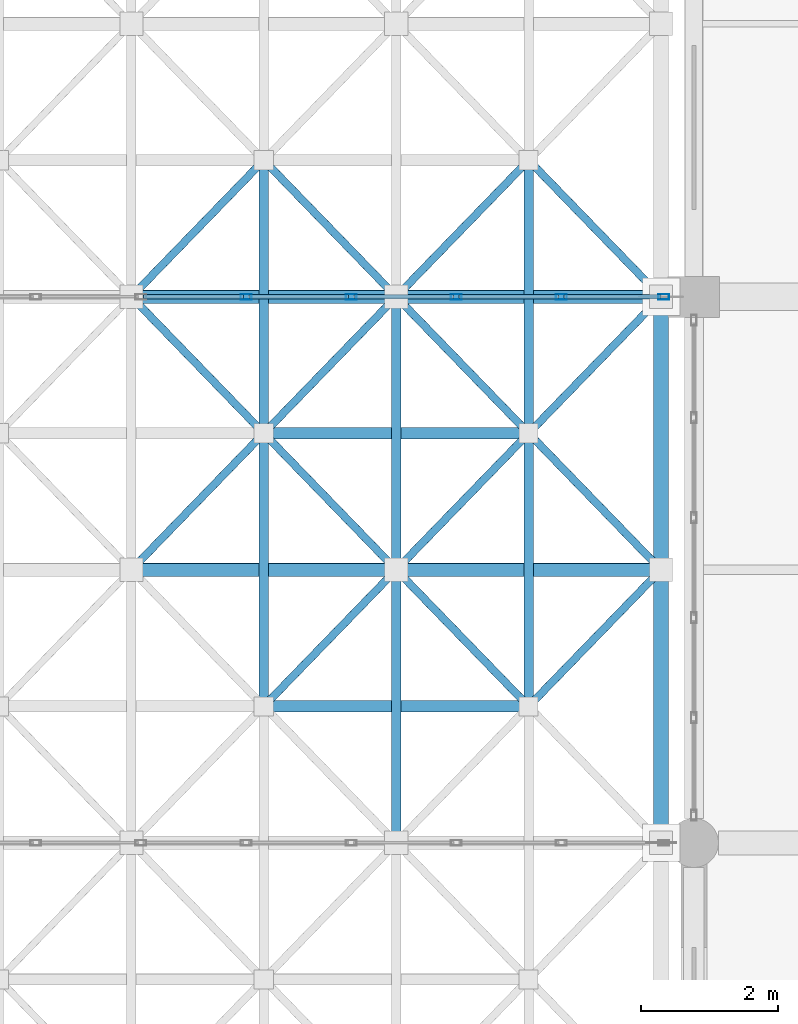
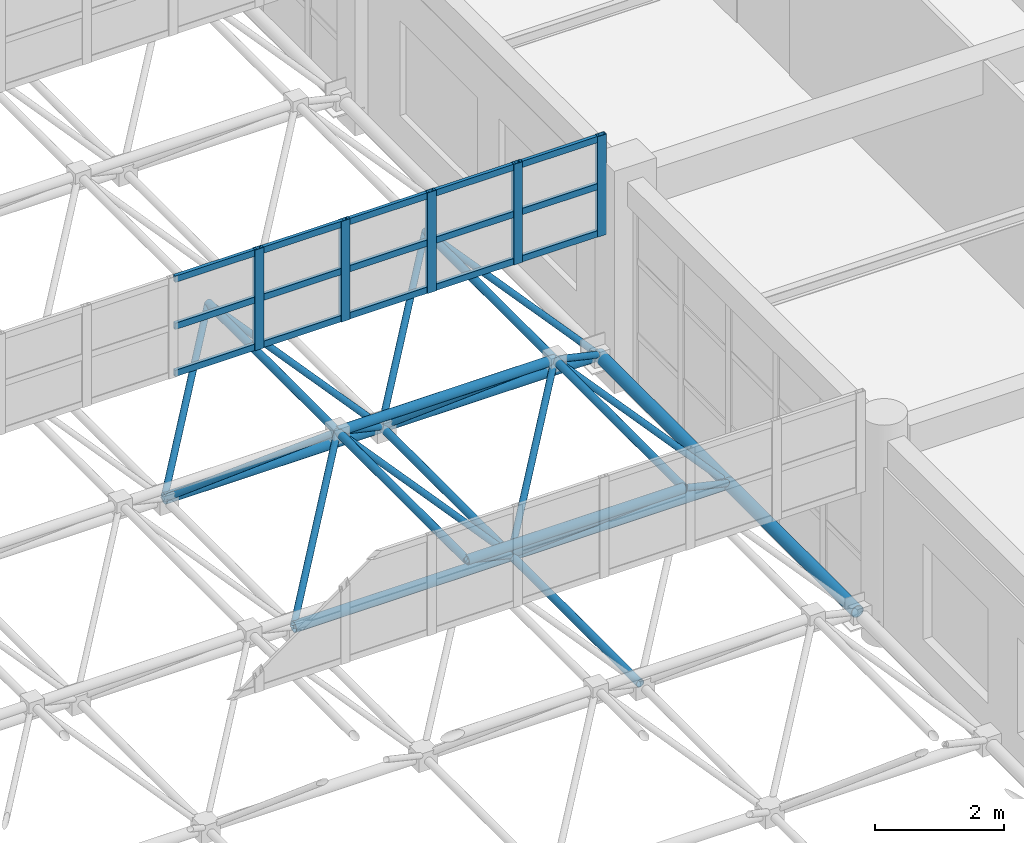
# One storey, part 59 of 195: 49 members, 1 element without a shape of its own.
"""IFC4 building model written with IfcOpenShell, lengths in metres."""

from ifc_helpers import new_model, si_unit, direction, frame, origin, origin_2d, place, context, subcontext, project, spatial, hollow_rectangle, hollow_circle, extrude, material, material_profile, profile_set, type_object, element, aggregate, save


model = new_model("IFC4")

# Units and contexts
model_context = context("Model", 3, precision=1e-05, world=origin(), true_north=direction((0.0, 1.0)))
body_context = subcontext(model_context, "Body", "Model", "MODEL_VIEW")
ifc_project = project(units=[si_unit("LENGTHUNIT", "METRE"), si_unit("AREAUNIT", "SQUARE_METRE"), si_unit("VOLUMEUNIT", "CUBIC_METRE"), si_unit("PLANEANGLEUNIT", "RADIAN"), si_unit("MASSUNIT", "GRAM", prefix="KILO")], contexts=[model_context])

# Site, building, storey
site_placement = place(None, origin())
site = spatial("IfcSite", under=ifc_project, at=site_placement, CompositionType="ELEMENT")
building_placement = place(site_placement, origin())
building = spatial("IfcBuilding", under=site, at=building_placement, Name="Kharva Crest Polytechnic", CompositionType="ELEMENT")
storey_placement = place(building_placement, frame((0.0, 0.0, 9.0)))
storey = spatial("IfcBuildingStorey", under=building, at=storey_placement, Name="L02", CompositionType="ELEMENT", Elevation=9.0)

# Curtain wall, members
ifc_material_1 = material(Name="Tempered insulated glass", Category="glass")
curtain_wall_type = type_object("IfcCurtainWallType", Name="CW-SYS-NORTHLIGHT", PredefinedType="USERDEFINED", material=ifc_material_1)
curtain_wall_placement = place(storey_placement, origin())
curtain_wall = element("IfcCurtainWall", 1, at=curtain_wall_placement, inside=storey, type_object=curtain_wall_type, Name="L02 Glazed Curtain Wall CW-192", ObjectType="CURTAIN WALL", PredefinedType="USERDEFINED")
ifc_material_2 = material(Name="Steel S355", Category="steel")
ifc_material_profile_1 = material_profile(ifc_material_2, hollow_rectangle(XDim=0.080078125, YDim=0.159912109375, WallThickness=0.0048828125, at=origin_2d()), Name="RHS 160X80X5.0")
ifc_profile_set_1 = profile_set([ifc_material_profile_1], Name="Steel S355")
member_type_1 = type_object("IfcMemberType", Name="CWM-RHS160X80", PredefinedType="MULLION", material=ifc_profile_set_1)
member_1_placement = place(storey_placement, frame((25.43994140625, 54.800048828125, 2.85009765625), z_axis=(0.0, 0.0, 1.0), x_axis=(0.0, 1.0, 0.0)))
member_1 = element("IfcMember", 2, at=member_1_placement, type_object=member_type_1, Name="CW-192 mullion 7", PredefinedType="MULLION", context=body_context, shape_type="SweptSolid", body=[
    extrude(hollow_rectangle(XDim=0.080078125, YDim=0.159912109375, WallThickness=0.0048828125, at=origin_2d()), origin(), (0.0, 0.0, 1.0), 1.89990234375),
])
member_2_placement = place(storey_placement, frame((26.97998046875, 54.800048828125, 2.85009765625), z_axis=(0.0, 0.0, 1.0), x_axis=(0.0, 1.0, 0.0)))
member_2 = element("IfcMember", 3, at=member_2_placement, type_object=member_type_1, Name="CW-192 mullion 8", PredefinedType="MULLION", context=body_context, shape_type="SweptSolid", body=[
    extrude(hollow_rectangle(XDim=0.080078125, YDim=0.159912109375, WallThickness=0.0048828125, at=origin_2d()), origin(), (0.0, 0.0, 1.0), 1.89990234375),
])
member_3_placement = place(storey_placement, frame((28.52001953125, 54.800048828125, 2.85009765625), z_axis=(0.0, 0.0, 1.0), x_axis=(0.0, 1.0, 0.0)))
member_3 = element("IfcMember", 4, at=member_3_placement, type_object=member_type_1, Name="CW-192 mullion 9", PredefinedType="MULLION", context=body_context, shape_type="SweptSolid", body=[
    extrude(hollow_rectangle(XDim=0.080078125, YDim=0.159912109375, WallThickness=0.0048828125, at=origin_2d()), origin(), (0.0, 0.0, 1.0), 1.89990234375),
])
member_4_placement = place(storey_placement, frame((30.06005859375, 54.800048828125, 2.85009765625), z_axis=(0.0, 0.0, 1.0), x_axis=(0.0, 1.0, 0.0)))
member_4 = element("IfcMember", 5, at=member_4_placement, type_object=member_type_1, Name="CW-192 mullion 10", PredefinedType="MULLION", context=body_context, shape_type="SweptSolid", body=[
    extrude(hollow_rectangle(XDim=0.080078125, YDim=0.159912109375, WallThickness=0.0048828125, at=origin_2d()), origin(), (0.0, 0.0, 1.0), 1.89990234375),
])
member_5_placement = place(storey_placement, frame((31.56005859375, 54.800048828125, 2.85009765625), z_axis=(0.0, 0.0, 1.0), x_axis=(0.0, 1.0, 0.0)))
member_5 = element("IfcMember", 6, at=member_5_placement, type_object=member_type_1, Name="CW-192 mullion 11", PredefinedType="MULLION", context=body_context, shape_type="SweptSolid", body=[
    extrude(hollow_rectangle(XDim=0.080078125, YDim=0.159912109375, WallThickness=0.0048828125, at=origin_2d()), origin(), (0.0, 0.0, 1.0), 1.89990234375),
])
ifc_material_profile_2 = material_profile(ifc_material_2, hollow_rectangle(XDim=0.06005859375, YDim=0.1201171875, WallThickness=0.00390625, at=origin_2d()), Name="RHS 120X60X4.0")
ifc_profile_set_2 = profile_set([ifc_material_profile_2], Name="Steel S355")
member_type_2 = type_object("IfcMemberType", Name="CWT-RHS120X60", PredefinedType="USERDEFINED", material=ifc_profile_set_2)
member_6_placement = place(storey_placement, frame((23.93994140625, 54.800048828125, 2.909912109375), z_axis=(1.0, 0.0, 0.0), x_axis=(0.0, 1.0, 0.0)))
member_6 = element("IfcMember", 7, at=member_6_placement, type_object=member_type_2, Name="CW-192 transom 6.1", ObjectType="TRANSOM", PredefinedType="USERDEFINED", context=body_context, shape_type="SweptSolid", body=[
    extrude(hollow_rectangle(XDim=0.06005859375, YDim=0.1201171875, WallThickness=0.00390625, at=origin_2d()), origin(), (0.0, 0.0, 1.0), 1.4599609375),
])
member_7_placement = place(storey_placement, frame((23.93994140625, 54.800048828125, 3.800048828125), z_axis=(1.0, 0.0, 0.0), x_axis=(0.0, 1.0, 0.0)))
member_7 = element("IfcMember", 8, at=member_7_placement, type_object=member_type_2, Name="CW-192 transom 6.2", ObjectType="TRANSOM", PredefinedType="USERDEFINED", context=body_context, shape_type="SweptSolid", body=[
    extrude(hollow_rectangle(XDim=0.06005859375, YDim=0.1201171875, WallThickness=0.00390625, at=origin_2d()), origin(), (0.0, 0.0, 1.0), 1.4599609375),
])
member_8_placement = place(storey_placement, frame((23.93994140625, 54.800048828125, 4.68994140625), z_axis=(1.0, 0.0, 0.0), x_axis=(0.0, 1.0, 0.0)))
member_8 = element("IfcMember", 9, at=member_8_placement, type_object=member_type_2, Name="CW-192 transom 6.3", ObjectType="TRANSOM", PredefinedType="USERDEFINED", context=body_context, shape_type="SweptSolid", body=[
    extrude(hollow_rectangle(XDim=0.06005859375, YDim=0.1201171875, WallThickness=0.00390625, at=origin_2d()), origin(), (0.0, 0.0, 1.0), 1.4599609375),
])
member_9_placement = place(storey_placement, frame((25.47998046875, 54.800048828125, 2.909912109375), z_axis=(1.0, 0.0, 0.0), x_axis=(0.0, 1.0, 0.0)))
member_9 = element("IfcMember", 10, at=member_9_placement, type_object=member_type_2, Name="CW-192 transom 7.1", ObjectType="TRANSOM", PredefinedType="USERDEFINED", context=body_context, shape_type="SweptSolid", body=[
    extrude(hollow_rectangle(XDim=0.06005859375, YDim=0.1201171875, WallThickness=0.00390625, at=origin_2d()), origin(), (0.0, 0.0, 1.0), 1.4599609375),
])
member_10_placement = place(storey_placement, frame((25.47998046875, 54.800048828125, 3.800048828125), z_axis=(1.0, 0.0, 0.0), x_axis=(0.0, 1.0, 0.0)))
member_10 = element("IfcMember", 11, at=member_10_placement, type_object=member_type_2, Name="CW-192 transom 7.2", ObjectType="TRANSOM", PredefinedType="USERDEFINED", context=body_context, shape_type="SweptSolid", body=[
    extrude(hollow_rectangle(XDim=0.06005859375, YDim=0.1201171875, WallThickness=0.00390625, at=origin_2d()), origin(), (0.0, 0.0, 1.0), 1.4599609375),
])
member_11_placement = place(storey_placement, frame((25.47998046875, 54.800048828125, 4.68994140625), z_axis=(1.0, 0.0, 0.0), x_axis=(0.0, 1.0, 0.0)))
member_11 = element("IfcMember", 12, at=member_11_placement, type_object=member_type_2, Name="CW-192 transom 7.3", ObjectType="TRANSOM", PredefinedType="USERDEFINED", context=body_context, shape_type="SweptSolid", body=[
    extrude(hollow_rectangle(XDim=0.06005859375, YDim=0.1201171875, WallThickness=0.00390625, at=origin_2d()), origin(), (0.0, 0.0, 1.0), 1.4599609375),
])
member_12_placement = place(storey_placement, frame((27.02001953125, 54.800048828125, 2.909912109375), z_axis=(1.0, 0.0, 0.0), x_axis=(0.0, 1.0, 0.0)))
member_12 = element("IfcMember", 13, at=member_12_placement, type_object=member_type_2, Name="CW-192 transom 8.1", ObjectType="TRANSOM", PredefinedType="USERDEFINED", context=body_context, shape_type="SweptSolid", body=[
    extrude(hollow_rectangle(XDim=0.06005859375, YDim=0.1201171875, WallThickness=0.00390625, at=origin_2d()), origin(), (0.0, 0.0, 1.0), 1.4599609375),
])
member_13_placement = place(storey_placement, frame((27.02001953125, 54.800048828125, 3.800048828125), z_axis=(1.0, 0.0, 0.0), x_axis=(0.0, 1.0, 0.0)))
member_13 = element("IfcMember", 14, at=member_13_placement, type_object=member_type_2, Name="CW-192 transom 8.2", ObjectType="TRANSOM", PredefinedType="USERDEFINED", context=body_context, shape_type="SweptSolid", body=[
    extrude(hollow_rectangle(XDim=0.06005859375, YDim=0.1201171875, WallThickness=0.00390625, at=origin_2d()), origin(), (0.0, 0.0, 1.0), 1.4599609375),
])
member_14_placement = place(storey_placement, frame((27.02001953125, 54.800048828125, 4.68994140625), z_axis=(1.0, 0.0, 0.0), x_axis=(0.0, 1.0, 0.0)))
member_14 = element("IfcMember", 15, at=member_14_placement, type_object=member_type_2, Name="CW-192 transom 8.3", ObjectType="TRANSOM", PredefinedType="USERDEFINED", context=body_context, shape_type="SweptSolid", body=[
    extrude(hollow_rectangle(XDim=0.06005859375, YDim=0.1201171875, WallThickness=0.00390625, at=origin_2d()), origin(), (0.0, 0.0, 1.0), 1.4599609375),
])
member_15_placement = place(storey_placement, frame((28.56005859375, 54.800048828125, 2.909912109375), z_axis=(1.0, 0.0, 0.0), x_axis=(0.0, 1.0, 0.0)))
member_15 = element("IfcMember", 16, at=member_15_placement, type_object=member_type_2, Name="CW-192 transom 9.1", ObjectType="TRANSOM", PredefinedType="USERDEFINED", context=body_context, shape_type="SweptSolid", body=[
    extrude(hollow_rectangle(XDim=0.06005859375, YDim=0.1201171875, WallThickness=0.00390625, at=origin_2d()), origin(), (0.0, 0.0, 1.0), 1.4599609375),
])
member_16_placement = place(storey_placement, frame((28.56005859375, 54.800048828125, 3.800048828125), z_axis=(1.0, 0.0, 0.0), x_axis=(0.0, 1.0, 0.0)))
member_16 = element("IfcMember", 17, at=member_16_placement, type_object=member_type_2, Name="CW-192 transom 9.2", ObjectType="TRANSOM", PredefinedType="USERDEFINED", context=body_context, shape_type="SweptSolid", body=[
    extrude(hollow_rectangle(XDim=0.06005859375, YDim=0.1201171875, WallThickness=0.00390625, at=origin_2d()), origin(), (0.0, 0.0, 1.0), 1.4599609375),
])
member_17_placement = place(storey_placement, frame((28.56005859375, 54.800048828125, 4.68994140625), z_axis=(1.0, 0.0, 0.0), x_axis=(0.0, 1.0, 0.0)))
member_17 = element("IfcMember", 18, at=member_17_placement, type_object=member_type_2, Name="CW-192 transom 9.3", ObjectType="TRANSOM", PredefinedType="USERDEFINED", context=body_context, shape_type="SweptSolid", body=[
    extrude(hollow_rectangle(XDim=0.06005859375, YDim=0.1201171875, WallThickness=0.00390625, at=origin_2d()), origin(), (0.0, 0.0, 1.0), 1.4599609375),
])
member_18_placement = place(storey_placement, frame((30.10009765625, 54.800048828125, 2.909912109375), z_axis=(1.0, 0.0, 0.0), x_axis=(0.0, 1.0, 0.0)))
member_18 = element("IfcMember", 19, at=member_18_placement, type_object=member_type_2, Name="CW-192 transom 10.1", ObjectType="TRANSOM", PredefinedType="USERDEFINED", context=body_context, shape_type="SweptSolid", body=[
    extrude(hollow_rectangle(XDim=0.06005859375, YDim=0.1201171875, WallThickness=0.00390625, at=origin_2d()), origin(), (0.0, 0.0, 1.0), 1.419921875),
])
member_19_placement = place(storey_placement, frame((30.10009765625, 54.800048828125, 3.800048828125), z_axis=(1.0, 0.0, 0.0), x_axis=(0.0, 1.0, 0.0)))
member_19 = element("IfcMember", 20, at=member_19_placement, type_object=member_type_2, Name="CW-192 transom 10.2", ObjectType="TRANSOM", PredefinedType="USERDEFINED", context=body_context, shape_type="SweptSolid", body=[
    extrude(hollow_rectangle(XDim=0.06005859375, YDim=0.1201171875, WallThickness=0.00390625, at=origin_2d()), origin(), (0.0, 0.0, 1.0), 1.419921875),
])
member_20_placement = place(storey_placement, frame((30.10009765625, 54.800048828125, 4.68994140625), z_axis=(1.0, 0.0, 0.0), x_axis=(0.0, 1.0, 0.0)))
member_20 = element("IfcMember", 21, at=member_20_placement, type_object=member_type_2, Name="CW-192 transom 10.3", ObjectType="TRANSOM", PredefinedType="USERDEFINED", context=body_context, shape_type="SweptSolid", body=[
    extrude(hollow_rectangle(XDim=0.06005859375, YDim=0.1201171875, WallThickness=0.00390625, at=origin_2d()), origin(), (0.0, 0.0, 1.0), 1.419921875),
])
aggregate(curtain_wall, [member_1, member_2, member_3, member_4, member_5, member_6, member_7, member_8, member_9, member_10, member_11, member_12, member_13, member_14, member_15, member_16, member_17, member_18, member_19, member_20])

# Members
ifc_material_profile_3 = material_profile(ifc_material_2, hollow_circle(Radius=0.05712890625, WallThickness=0.00634765625, at=origin_2d()), Name="CHS 114.3X6.3")
ifc_profile_set_3 = profile_set([ifc_material_profile_3], Name="Steel S355")
member_type_3 = type_object("IfcMemberType", Name="MEM-CHS114", PredefinedType="BRACE", material=ifc_profile_set_3)
for number, where, z_axis, x_axis, name in (
    (22, (27.639892578125, 50.800048828125, 0.60009765625), (-0.584843378742, -0.602949529154, 0.542595694449), (0.717802189577, -0.696247094528, 0.0), "Space Frame Web Diagonal 796"),
    (23, (23.760009765625, 50.800048828125, 0.60009765625), (0.584843378742, 0.602949529154, 0.542595694449), (-0.717802189577, 0.696247094528, 0.0), "Space Frame Web Diagonal 797"),
    (24, (27.639892578125, 50.800048828125, 0.60009765625), (-0.584843378742, 0.602949529154, 0.542595694449), (-0.717802189577, -0.696247094528, 0.0), "Space Frame Web Diagonal 798"),
    (25, (23.760009765625, 54.800048828125, 0.60009765625), (0.584843378742, -0.602949529154, 0.542595694449), (0.717802189577, 0.696247094528, 0.0), "Space Frame Web Diagonal 799"),
    (26, (27.639892578125, 54.800048828125, 0.60009765625), (-0.584843378742, -0.602949529154, 0.542595694449), (0.717802189577, -0.696247094528, 0.0), "Space Frame Web Diagonal 800"),
    (27, (23.760009765625, 54.800048828125, 0.60009765625), (0.584843378742, 0.602949529154, 0.542595694449), (-0.717802189577, 0.696247094528, 0.0), "Space Frame Web Diagonal 801"),
    (28, (27.639892578125, 54.800048828125, 0.60009765625), (-0.584843378742, 0.602949529154, 0.542595694449), (-0.717802189577, -0.696247094528, 0.0), "Space Frame Web Diagonal 802"),
    (29, (27.639892578125, 50.800048828125, 0.60009765625), (0.584891802813, -0.602923574763, 0.542572338032), (0.717758400015, 0.696292236929, 0.0), "Space Frame Web Diagonal 851"),
    (30, (31.52001953125, 50.800048828125, 0.60009765625), (-0.584843378742, -0.602949529154, 0.542595694449), (0.717802189577, -0.696247094528, 0.0), "Space Frame Web Diagonal 852"),
    (31, (27.639892578125, 50.800048828125, 0.60009765625), (0.584891802813, 0.602923574763, 0.542572338032), (-0.717758400015, 0.696292236929, 0.0), "Space Frame Web Diagonal 853"),
    (32, (31.52001953125, 50.800048828125, 0.60009765625), (-0.584843378742, 0.602949529154, 0.542595694449), (-0.717802189577, -0.696247094528, 0.0), "Space Frame Web Diagonal 854"),
    (33, (27.639892578125, 54.800048828125, 0.60009765625), (0.584891802813, -0.602923574763, 0.542572338032), (0.717758400015, 0.696292236929, 0.0), "Space Frame Web Diagonal 855"),
    (34, (31.52001953125, 54.800048828125, 0.60009765625), (-0.584843378742, -0.602949529154, 0.542595694449), (0.717802189577, -0.696247094528, 0.0), "Space Frame Web Diagonal 856"),
    (35, (27.639892578125, 54.800048828125, 0.60009765625), (0.584891802813, 0.602923574763, 0.542572338032), (-0.717758400015, 0.696292236929, 0.0), "Space Frame Web Diagonal 857"),
    (36, (31.52001953125, 54.800048828125, 0.60009765625), (-0.584843378742, 0.602949529154, 0.542595694449), (-0.717802189577, -0.696247094528, 0.0), "Space Frame Web Diagonal 858"),
):
    element("IfcMember", number, at=place(storey_placement, frame(where, z_axis=z_axis, x_axis=x_axis)), inside=storey, type_object=member_type_3, Name=name, PredefinedType="BRACE", context=body_context, shape_type="SweptSolid", body=[
        extrude(hollow_circle(Radius=0.05712890625, WallThickness=0.00634765625, at=origin_2d()), origin(), (0.0, 0.0, 1.0), 3.317138671875),
    ])
ifc_material_profile_4 = material_profile(ifc_material_2, hollow_circle(Radius=0.06982421875, WallThickness=0.00634765625, at=origin_2d()), Name="CHS 139.7X6.3")
ifc_profile_set_4 = profile_set([ifc_material_profile_4], Name="Steel S355")
member_type_4 = type_object("IfcMemberType", Name="MEM-CHS139", PredefinedType="CHORD", material=ifc_profile_set_4)
for number, where, z_axis, x_axis, name in (
    (37, (27.639892578125, 46.800048828125, 0.60009765625), (0.0, 1.0, 0.0), (-1.0, 0.0, 0.0), "Space Frame Bottom Chord Y 221"),
    (38, (27.639892578125, 50.800048828125, 0.60009765625), (0.0, 1.0, 0.0), (-1.0, 0.0, 0.0), "Space Frame Bottom Chord Y 222"),
    (39, (25.699951171875, 48.800048828125, 2.39990234375), (0.0, 1.0, 0.0), (-1.0, 0.0, 0.0), "Space Frame Top Chord Y 425"),
    (40, (25.699951171875, 52.800048828125, 2.39990234375), (0.0, 1.0, 0.0), (-1.0, 0.0, 0.0), "Space Frame Top Chord Y 426"),
    (41, (29.580078125, 48.800048828125, 2.39990234375), (0.0, 1.0, 0.0), (-1.0, 0.0, 0.0), "Space Frame Top Chord Y 438"),
    (42, (29.580078125, 52.800048828125, 2.39990234375), (0.0, 1.0, 0.0), (-1.0, 0.0, 0.0), "Space Frame Top Chord Y 439"),
):
    element("IfcMember", number, at=place(storey_placement, frame(where, z_axis=z_axis, x_axis=x_axis)), inside=storey, type_object=member_type_4, Name=name, PredefinedType="CHORD", context=body_context, shape_type="SweptSolid", body=[
        extrude(hollow_circle(Radius=0.06982421875, WallThickness=0.00634765625, at=origin_2d()), origin(), (0.0, 0.0, 1.0), 4.0),
    ])
ifc_material_profile_5 = material_profile(ifc_material_2, hollow_circle(Radius=0.084228515625, WallThickness=0.008056640625, at=origin_2d()), Name="CHS 168.3X8.0")
ifc_profile_set_5 = profile_set([ifc_material_profile_5], Name="Steel S355")
member_type_5 = type_object("IfcMemberType", Name="MEM-CHS168", PredefinedType="CHORD", material=ifc_profile_set_5)
for number, where, z_axis, x_axis, name in (
    (43, (25.699951171875, 48.800048828125, 2.39990234375), (1.0, 0.0, 0.0), (0.0, 1.0, 0.0), "Space Frame Top Chord X 267"),
    (44, (25.699951171875, 52.800048828125, 2.39990234375), (1.0, 0.0, 0.0), (0.0, 1.0, 0.0), "Space Frame Top Chord X 274"),
):
    element("IfcMember", number, at=place(storey_placement, frame(where, z_axis=z_axis, x_axis=x_axis)), inside=storey, type_object=member_type_5, Name=name, PredefinedType="CHORD", context=body_context, shape_type="SweptSolid", body=[
        extrude(hollow_circle(Radius=0.084228515625, WallThickness=0.008056640625, at=origin_2d()), origin(), (0.0, 0.0, 1.0), 3.880126953125),
    ])
ifc_material_profile_6 = material_profile(ifc_material_2, hollow_circle(Radius=0.096923828125, WallThickness=0.008056640625, at=origin_2d()), Name="CHS 193.7X8.0")
ifc_profile_set_6 = profile_set([ifc_material_profile_6], Name="Steel S355")
member_type_6 = type_object("IfcMemberType", Name="MEM-CHS193", PredefinedType="CHORD", material=ifc_profile_set_6)
member_21_placement = place(storey_placement, frame((23.760009765625, 50.800048828125, 0.60009765625), z_axis=(1.0, 0.0, 0.0), x_axis=(0.0, 1.0, 0.0)))
element("IfcMember", 45, at=member_21_placement, inside=storey, type_object=member_type_6, Name="Space Frame Bottom Chord X 31", PredefinedType="CHORD", context=body_context, shape_type="SweptSolid", body=[
    extrude(hollow_circle(Radius=0.096923828125, WallThickness=0.008056640625, at=origin_2d()), origin(), (0.0, 0.0, 1.0), 3.8798828125),
])
member_22_placement = place(storey_placement, frame((27.639892578125, 50.800048828125, 0.60009765625), z_axis=(1.0, 0.0, 0.0), x_axis=(0.0, 1.0, 0.0)))
element("IfcMember", 46, at=member_22_placement, inside=storey, type_object=member_type_6, Name="Space Frame Bottom Chord X 32", PredefinedType="CHORD", context=body_context, shape_type="SweptSolid", body=[
    extrude(hollow_circle(Radius=0.096923828125, WallThickness=0.008056640625, at=origin_2d()), origin(), (0.0, 0.0, 1.0), 3.880126953125),
])
member_23_placement = place(storey_placement, frame((23.760009765625, 54.800048828125, 0.60009765625), z_axis=(1.0, 0.0, 0.0), x_axis=(0.0, 1.0, 0.0)))
element("IfcMember", 47, at=member_23_placement, inside=storey, type_object=member_type_6, Name="Space Frame Bottom Chord X 39", PredefinedType="CHORD", context=body_context, shape_type="SweptSolid", body=[
    extrude(hollow_circle(Radius=0.096923828125, WallThickness=0.008056640625, at=origin_2d()), origin(), (0.0, 0.0, 1.0), 3.8798828125),
])
member_24_placement = place(storey_placement, frame((27.639892578125, 54.800048828125, 0.60009765625), z_axis=(1.0, 0.0, 0.0), x_axis=(0.0, 1.0, 0.0)))
element("IfcMember", 48, at=member_24_placement, inside=storey, type_object=member_type_6, Name="Space Frame Bottom Chord X 40", PredefinedType="CHORD", context=body_context, shape_type="SweptSolid", body=[
    extrude(hollow_circle(Radius=0.096923828125, WallThickness=0.008056640625, at=origin_2d()), origin(), (0.0, 0.0, 1.0), 3.880126953125),
])
ifc_material_profile_7 = material_profile(ifc_material_2, hollow_circle(Radius=0.109619140625, WallThickness=0.010009765625, at=origin_2d()), Name="CHS 219.1X10.0")
ifc_profile_set_7 = profile_set([ifc_material_profile_7], Name="Steel S355")
member_type_7 = type_object("IfcMemberType", Name="MEM-CHS219", PredefinedType="CHORD", material=ifc_profile_set_7)
for number, where, z_axis, x_axis, name in (
    (49, (31.52001953125, 46.800048828125, 0.60009765625), (0.0, 1.0, 0.0), (-1.0, 0.0, 0.0), "Space Frame Bottom Chord Y 235"),
    (50, (31.52001953125, 50.800048828125, 0.60009765625), (0.0, 1.0, 0.0), (-1.0, 0.0, 0.0), "Space Frame Bottom Chord Y 236"),
):
    element("IfcMember", number, at=place(storey_placement, frame(where, z_axis=z_axis, x_axis=x_axis)), inside=storey, type_object=member_type_7, Name=name, PredefinedType="CHORD", context=body_context, shape_type="SweptSolid", body=[
        extrude(hollow_circle(Radius=0.109619140625, WallThickness=0.010009765625, at=origin_2d()), origin(), (0.0, 0.0, 1.0), 4.0),
    ])

save(model, "model.ifc")
